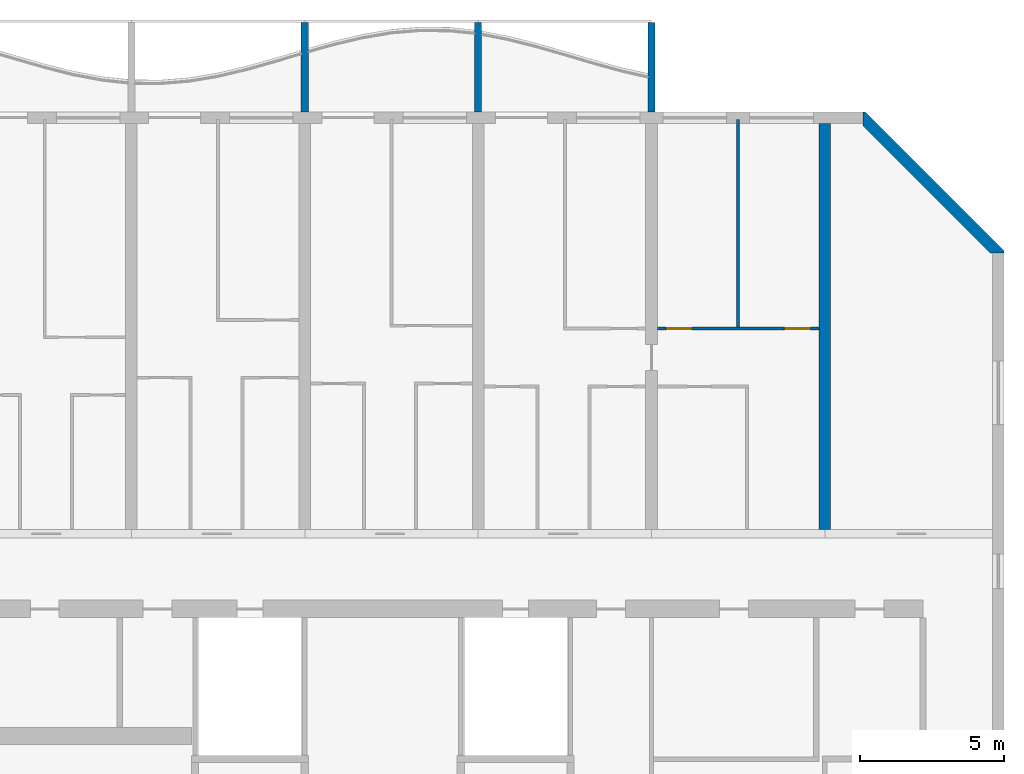
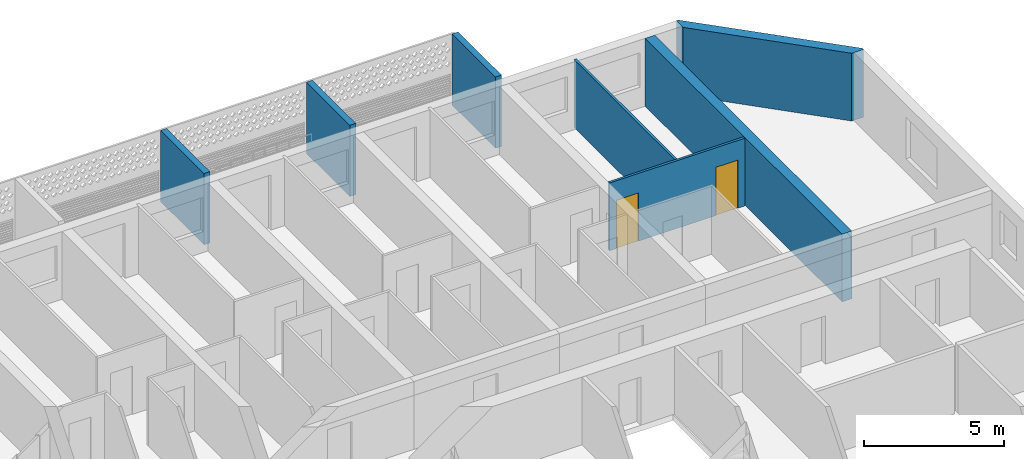
# One storey, part 16 of 39: 7 walls, 2 doors, 2 openings.
"""IFC4 building model written with IfcOpenShell, lengths in metres."""

from ifc_helpers import new_model, si_unit, direction, frame, frame_2d, origin, place, context, subcontext, project, spatial, polyline, rectangle, outline, extrude, source, transform, mapped, material, layer, layer_set, type_object, element, fill, save


model = new_model("IFC4")

# Units and contexts
model_context = context("Model", 3, precision=1e-05, world=origin(), true_north=direction((0.0, 1.0)))
body_context = subcontext(model_context, "Body", "Model", "MODEL_VIEW")
ifc_project = project(units=[si_unit("LENGTHUNIT", "METRE"), si_unit("AREAUNIT", "SQUARE_METRE"), si_unit("VOLUMEUNIT", "CUBIC_METRE"), si_unit("PLANEANGLEUNIT", "RADIAN"), si_unit("MASSUNIT", "GRAM", prefix="KILO")], contexts=[model_context])

# Site, building, storey
site_placement = place(None, origin())
site = spatial("IfcSite", under=ifc_project, at=site_placement, CompositionType="ELEMENT")
building_placement = place(site_placement, origin())
building = spatial("IfcBuilding", under=site, at=building_placement, Name="Poui Terraces", CompositionType="ELEMENT")
storey_placement = place(building_placement, frame((0.0, 0.0, 63.0)))
storey = spatial("IfcBuildingStorey", under=building, at=storey_placement, Name="L17", CompositionType="ELEMENT", Elevation=63.0)

# Wall
ifc_material_1 = material(Name="Concrete 80 MPa", Category="concrete")
ifc_layer_1 = layer(ifc_material_1, 0.39990234375)
ifc_layer_set_1 = layer_set([ifc_layer_1], Name="Concrete 80 MPa")
wall_type_1 = type_object("IfcWallType", Name="CROSS WALL 400 80MPa", PredefinedType="SHEAR", material=ifc_layer_set_1)
wall_1_placement = place(storey_placement, frame((90.0, 30.550048828125, 0.0), z_axis=(0.0, 0.0, 1.0), x_axis=(0.0, 1.0, 0.0)))
element("IfcWall", 1, at=wall_1_placement, inside=storey, type_object=wall_type_1, Name="CROSS WALL LINE 16 NORTH", PredefinedType="SHEAR", context=body_context, shape_type="SweptSolid", body=[
    extrude(rectangle(XDim=14.050048828125, YDim=0.39990234375, at=frame_2d((7.02490234375, 0.0))), origin(), (0.0, 0.0, 1.0), 2.949951171875),
])

# Wall, openings, doors
ifc_material_2 = material(Name="Plasterboard partition")
ifc_layer_2 = layer(ifc_material_2, 0.10009765625)
ifc_layer_set_2 = layer_set([ifc_layer_2], Name="Plasterboard partition")
wall_type_2 = type_object("IfcWallType", Name="FLAT PARTITION 100", PredefinedType="PARTITIONING", material=ifc_layer_set_2)
wall_2_placement = place(storey_placement, frame((84.2099609375, 37.5, 0.0), z_axis=(0.0, 0.0, 1.0), x_axis=(1.0, 0.0, 0.0)))
wall_2 = element("IfcWall", 2, at=wall_2_placement, inside=storey, type_object=wall_type_2, Name="FLAT PARTITION 100", PredefinedType="PARTITIONING", context=body_context, shape_type="SweptSolid", body=[
    extrude(rectangle(XDim=5.580078125, YDim=0.10009765625, at=frame_2d((2.7900390625, 0.0))), origin(), (0.0, 0.0, 1.0), 2.949951171875),
])
opening_1_placement = place(wall_2_placement, frame((0.2900390625, 0.0, 0.0)))
opening_1 = element("IfcOpeningElement", 3, at=opening_1_placement, cuts=wall_2, Name="Opening D90", PredefinedType="OPENING", context=body_context, shape_type="SweptSolid", body=[
    extrude(rectangle(XDim=0.89990234375, YDim=2.10009765625, at=frame_2d((0.449951171875, 1.050048828125))), frame((0.0, 0.06005859375, 0.0), z_axis=(0.0, -1.0, 0.0), x_axis=(1.0, 0.0, 0.0)), (0.0, 0.0, 1.0), 0.1201171875),
])
opening_2_placement = place(wall_2_placement, frame((4.389892578125, 0.0, 0.0)))
opening_2 = element("IfcOpeningElement", 4, at=opening_2_placement, cuts=wall_2, Name="Opening D90", PredefinedType="OPENING", context=body_context, shape_type="SweptSolid", body=[
    extrude(rectangle(XDim=0.89990234375, YDim=2.10009765625, at=frame_2d((0.449951171875, 1.050048828125))), frame((0.0, 0.06005859375, 0.0), z_axis=(0.0, -1.0, 0.0), x_axis=(1.0, 0.0, 0.0)), (0.0, 0.0, 1.0), 0.1201171875),
])
ifc_material_3 = material(Name="Solid core timber door", Category="wood")
door_type = type_object("IfcDoorType", Name="INTERNAL DOOR 900 X 2100", OperationType="NOTDEFINED", PredefinedType="DOOR", material=ifc_material_3)
door_1_placement = place(opening_1_placement, origin())
door_1 = element("IfcDoor", 5, at=door_1_placement, inside=storey, type_object=door_type, Name="INTERNAL DOOR 075", OperationType="SINGLE_SWING_LEFT", OverallHeight=2.10009765625, OverallWidth=0.89990234375, PredefinedType="DOOR", context=body_context, shape_type="SweptSolid", body=[
    extrude(rectangle(XDim=0.89990234375, YDim=2.10009765625, at=frame_2d((0.449951171875, 1.050048828125))), frame((0.0, 0.02490234375, 0.0), z_axis=(0.0, -1.0, 0.0), x_axis=(1.0, 0.0, 0.0)), (0.0, 0.0, 1.0), 0.050048828125),
])
fill(opening_1, door_1)
door_2_placement = place(opening_2_placement, origin())
door_2 = element("IfcDoor", 6, at=door_2_placement, inside=storey, type_object=door_type, Name="INTERNAL DOOR 077", OperationType="SINGLE_SWING_RIGHT", OverallHeight=2.10009765625, OverallWidth=0.89990234375, PredefinedType="DOOR", context=body_context, shape_type="SweptSolid", body=[
    extrude(rectangle(XDim=0.89990234375, YDim=2.10009765625, at=frame_2d((0.449951171875, 1.050048828125))), frame((0.0, 0.02490234375, 0.0), z_axis=(0.0, -1.0, 0.0), x_axis=(1.0, 0.0, 0.0)), (0.0, 0.0, 1.0), 0.050048828125),
])
fill(opening_2, door_2)

# Walls
wall_3_placement = place(storey_placement, frame((87.0, 37.550048828125, 0.0), z_axis=(0.0, 0.0, 1.0), x_axis=(0.0, 1.0, 0.0)))
element("IfcWall", 7, at=wall_3_placement, inside=storey, type_object=wall_type_2, Name="FLAT PARTITION 100", PredefinedType="PARTITIONING", context=body_context, shape_type="SweptSolid", body=[
    extrude(rectangle(XDim=7.18994140625, YDim=0.10009765625, at=frame_2d((3.594970703125, 0.0))), origin(), (0.0, 0.0, 1.0), 2.949951171875),
])
ifc_material_4 = material(Name="Precast concrete 40 MPa", Category="concrete")
ifc_layer_3 = layer(ifc_material_4, 0.39990234375)
ifc_layer_set_3 = layer_set([ifc_layer_3], Name="Precast concrete 40 MPa")
wall_type_3 = type_object("IfcWallType", Name="TERRACOTTA CLAD CHAMFER WALL 400", PredefinedType="STANDARD", material=ifc_layer_set_3)
wall_4_placement = place(storey_placement, origin())
element("IfcWall", 8, at=wall_4_placement, inside=storey, type_object=wall_type_3, Name="CHAMFER WALL CH03", PredefinedType="STANDARD", context=body_context, shape_type="SweptSolid", body=[
    extrude(outline(polyline([(96.199951171875, 40.1171875), (96.199951171875, 40.199951171875), (91.39990234375, 45.0), (91.317138671875, 45.0), (91.317138671875, 44.51708984375), (95.71728515625, 40.1171875), (96.199951171875, 40.1171875)])), origin(), (0.0, 0.0, 1.0), 2.949951171875),
])
ifc_layer_4 = layer(ifc_material_4, 0.25)
ifc_layer_set_4 = layer_set([ifc_layer_4], Name="Precast concrete 40 MPa")
wall_type_4 = type_object("IfcWallType", Name="BALCONY FIN 250", PredefinedType="STANDARD", material=ifc_layer_set_4)
shared_shape = source(origin(), body_context, "Body", "SweptSolid", [
    extrude(outline(polyline([(0.0, 0.0), (0.25, 0.0), (0.25, 3.10009765625), (0.0, 3.10009765625), (0.0, 0.0)])), origin(), (0.0, 0.0, 1.0), 3.10009765625),
])
for number, where, name in (
    (9, (71.875, 45.0, 0.0), "BALCONY FIN"),
    (10, (77.875, 45.0, 0.0), "BALCONY FIN"),
    (11, (83.875, 45.0, 0.0), "BALCONY FIN"),
):
    element("IfcWall", number, at=place(storey_placement, frame(where)), inside=storey, type_object=wall_type_4, Name=name, PredefinedType="STANDARD", context=body_context, shape_type="MappedRepresentation", body=[
        mapped(shared_shape, transform((0.0, 0.0, 0.0))),
    ])

save(model, "model.ifc")
